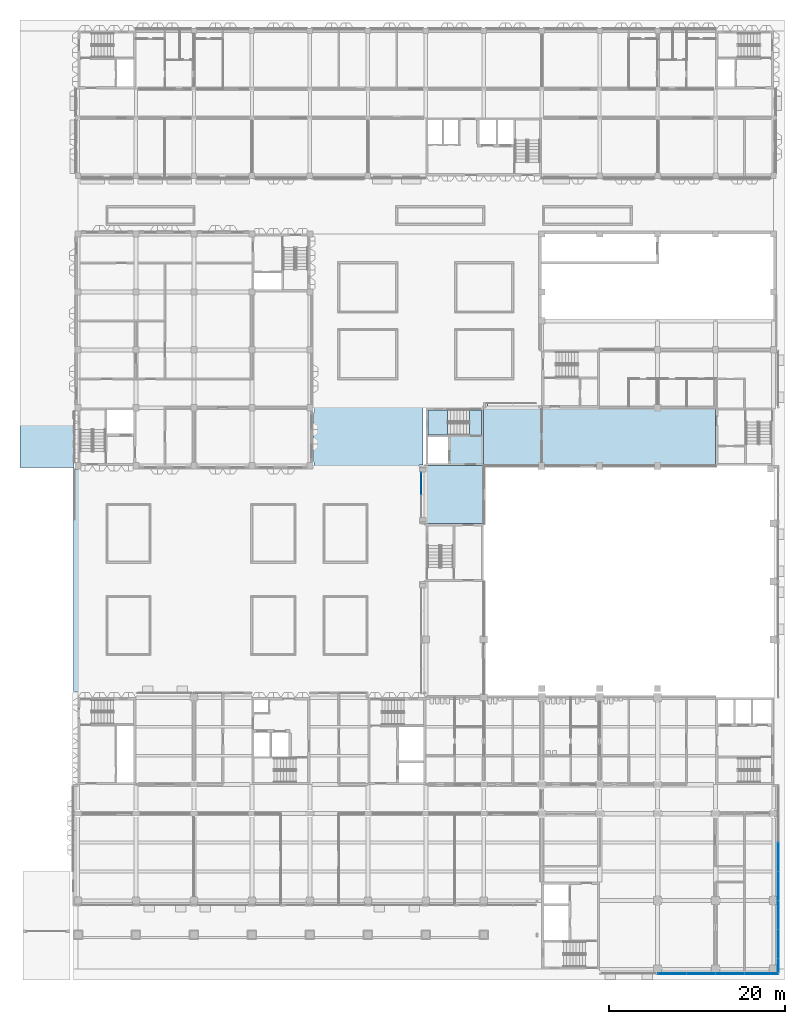
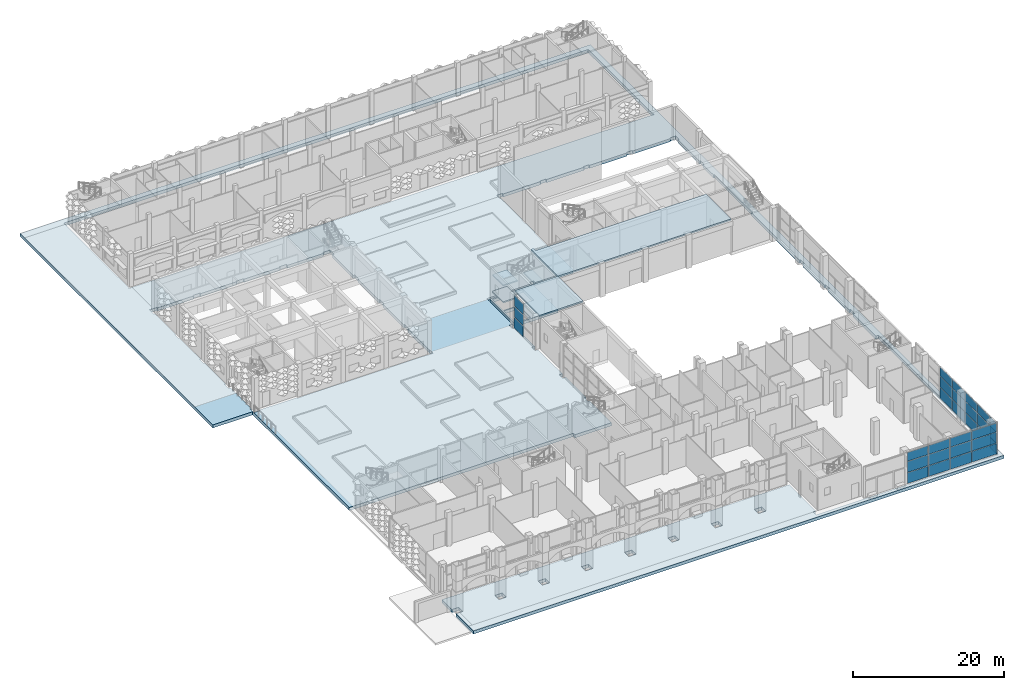
# One storey, part 21 of 85: 30 plates, 7 slabs, 4 elements without a shape of their own.
"""IFC4 building model written with IfcOpenShell, lengths in metres."""

from ifc_helpers import new_model, si_unit, direction, frame, origin, origin_2d, place, context, subcontext, project, spatial, polyline, rectangle, outline, extrude, material, layer, layer_set, type_object, element, aggregate, save


model = new_model("IFC4")

# Units and contexts
model_context = context("Model", 3, precision=1e-05, world=origin(), true_north=direction((0.0, 1.0)))
body_context = subcontext(model_context, "Body", "Model", "MODEL_VIEW")
ifc_project = project(units=[si_unit("LENGTHUNIT", "METRE"), si_unit("AREAUNIT", "SQUARE_METRE"), si_unit("VOLUMEUNIT", "CUBIC_METRE"), si_unit("PLANEANGLEUNIT", "RADIAN"), si_unit("MASSUNIT", "GRAM", prefix="KILO")], contexts=[model_context])

# Site, building, storey
site_placement = place(None, origin())
site = spatial("IfcSite", under=ifc_project, at=site_placement, CompositionType="ELEMENT")
building_placement = place(site_placement, origin())
building = spatial("IfcBuilding", under=site, at=building_placement, Name="Lantern Court Research Institute", CompositionType="ELEMENT")
storey_placement = place(building_placement, origin())
storey = spatial("IfcBuildingStorey", under=building, at=storey_placement, Name="L00", CompositionType="ELEMENT", Elevation=0.0)

# Curtain wall, plate
ifc_material_1 = material(Name="Aluminium alloy 6063-T6", Category="aluminium")
curtain_wall_type_1 = type_object("IfcCurtainWallType", Name="Curtain wall 5200 x 5400 x 150 aluminium frame", PredefinedType="NOTDEFINED", material=ifc_material_1)
curtain_wall_1_placement = place(storey_placement, origin())
curtain_wall_1 = element("IfcCurtainWall", 1, at=curtain_wall_1_placement, inside=storey, type_object=curtain_wall_type_1, Name="Curtain wall CW005", PredefinedType="NOTDEFINED")
ifc_material_2 = material(Name="Fire-resisting insulated aluminium spandrel panel", Category="aluminium")
ifc_layer_1 = layer(ifc_material_2, 0.1201171875)
ifc_layer_set_1 = layer_set([ifc_layer_1], Name="Fire-resisting insulated aluminium spandrel panel")
plate_type_1 = type_object("IfcPlateType", Name="Fire-resisting spandrel panel 120 mm", PredefinedType="CURTAIN_PANEL", material=ifc_layer_set_1)
plate_1_placement = place(storey_placement, frame((39.074951171875, 47.47509765625, 0.10009765625), z_axis=(0.0, 0.0, 1.0), x_axis=(0.0, 1.0, 0.0)))
plate_1 = element("IfcPlate", 2, at=plate_1_placement, type_object=plate_type_1, Name="CW005 spandrel panel 2.1", PredefinedType="CURTAIN_PANEL", context=body_context, shape_type="SweptSolid", body=[
    extrude(rectangle(XDim=2.449951171875, YDim=0.1201171875, at=origin_2d()), origin(), (0.0, 0.0, 1.0), 1.64990234375),
])

# Slabs
ifc_material_3 = material(Name="Concrete C35/45", Category="concrete")
ifc_layer_2 = layer(ifc_material_3, 0.25)
ifc_layer_set_2 = layer_set([ifc_layer_2], Name="Concrete C35/45")
slab_type_1 = type_object("IfcSlabType", Name="Hall gallery slab 250", PredefinedType="FLOOR", material=ifc_layer_set_2)
slab_1_placement = place(storey_placement, frame((0.0, 0.0, 5.14990234375)))
element("IfcSlab", 3, at=slab_1_placement, inside=storey, type_object=slab_type_1, Name="Atrium gallery floor slab L01", PredefinedType="FLOOR", context=body_context, shape_type="SweptSolid", body=[
    extrude(outline(polyline([(39.60009765625, 49.5), (46.199951171875, 49.5), (46.199951171875, 42.89990234375), (39.60009765625, 42.89990234375), (39.60009765625, 49.5)])), origin(), (0.0, 0.0, 1.0), 0.25),
])
slab_2_placement = place(storey_placement, frame((0.0, 0.0, 5.14990234375)))
element("IfcSlab", 4, at=slab_2_placement, inside=storey, type_object=slab_type_1, Name="Atrium gallery floor slab L01", PredefinedType="FLOOR", context=body_context, shape_type="SweptSolid", body=[
    extrude(outline(polyline([(72.60009765625, 56.10009765625), (72.60009765625, 49.5), (46.199951171875, 49.5), (46.199951171875, 56.699951171875), (46.60009765625, 56.699951171875), (46.60009765625, 56.10009765625), (72.60009765625, 56.10009765625)])), origin(), (0.0, 0.0, 1.0), 0.25),
])

# Curtain wall, plates
ifc_material_4 = material(Name="Aluminium alloy 6063-T6", Category="aluminium")
curtain_wall_type_2 = type_object("IfcCurtainWallType", Name="Curtain wall 13800 x 5100 x 150 aluminium frame", PredefinedType="NOTDEFINED", material=ifc_material_4)
curtain_wall_2_placement = place(storey_placement, origin())
curtain_wall_2 = element("IfcCurtainWall", 5, at=curtain_wall_2_placement, inside=storey, type_object=curtain_wall_type_2, Name="Curtain wall CW015", PredefinedType="NOTDEFINED")
ifc_material_5 = material(Name="Insulated aluminium spandrel panel", Category="aluminium")
ifc_layer_3 = layer(ifc_material_5, 0.10009765625)
ifc_layer_set_3 = layer_set([ifc_layer_3], Name="Insulated aluminium spandrel panel")
plate_type_2 = type_object("IfcPlateType", Name="Insulated spandrel panel 100 mm for south sun", PredefinedType="CURTAIN_PANEL", material=ifc_layer_set_3)
plate_2_placement = place(storey_placement, frame((67.6650390625, -8.324951171875, 0.06005859375), z_axis=(0.0, 0.0, 1.0), x_axis=(-1.0, 0.0, 0.0)))
plate_2 = element("IfcPlate", 6, at=plate_2_placement, type_object=plate_type_2, Name="CW015 spandrel panel 1.1", PredefinedType="CURTAIN_PANEL", context=body_context, shape_type="SweptSolid", body=[
    extrude(rectangle(XDim=3.2099609375, YDim=0.10009765625, at=origin_2d()), origin(), (0.0, 0.0, 1.0), 1.7099609375),
])
plate_3_placement = place(storey_placement, frame((70.949951171875, -8.324951171875, 0.06005859375), z_axis=(0.0, 0.0, 1.0), x_axis=(-1.0, 0.0, 0.0)))
plate_3 = element("IfcPlate", 7, at=plate_3_placement, type_object=plate_type_2, Name="CW015 spandrel panel 2.1", PredefinedType="CURTAIN_PANEL", context=body_context, shape_type="SweptSolid", body=[
    extrude(rectangle(XDim=3.239990234375, YDim=0.10009765625, at=origin_2d()), origin(), (0.0, 0.0, 1.0), 1.7099609375),
])
plate_4_placement = place(storey_placement, frame((74.25, -8.324951171875, 0.06005859375), z_axis=(0.0, 0.0, 1.0), x_axis=(-1.0, 0.0, 0.0)))
plate_4 = element("IfcPlate", 8, at=plate_4_placement, type_object=plate_type_2, Name="CW015 spandrel panel 3.1", PredefinedType="CURTAIN_PANEL", context=body_context, shape_type="SweptSolid", body=[
    extrude(rectangle(XDim=3.239990234375, YDim=0.10009765625, at=origin_2d()), origin(), (0.0, 0.0, 1.0), 1.7099609375),
])
plate_5_placement = place(storey_placement, frame((77.8349609375, -8.324951171875, 0.06005859375), z_axis=(0.0, 0.0, 1.0), x_axis=(-1.0, 0.0, 0.0)))
plate_5 = element("IfcPlate", 9, at=plate_5_placement, type_object=plate_type_2, Name="CW015 spandrel panel 4.1", PredefinedType="CURTAIN_PANEL", context=body_context, shape_type="SweptSolid", body=[
    extrude(rectangle(XDim=3.81005859375, YDim=0.10009765625, at=origin_2d()), origin(), (0.0, 0.0, 1.0), 1.7099609375),
])

ifc_material_6 = material(Name="Aluminium alloy 6063-T6", Category="aluminium")
curtain_wall_type_3 = type_object("IfcCurtainWallType", Name="Curtain wall 21250 x 5100 x 150 aluminium frame", PredefinedType="NOTDEFINED", material=ifc_material_6)
curtain_wall_3_placement = place(storey_placement, origin())
curtain_wall_3 = element("IfcCurtainWall", 10, at=curtain_wall_3_placement, inside=storey, type_object=curtain_wall_type_3, Name="Curtain wall CW014", PredefinedType="NOTDEFINED")
ifc_material_7 = material(Name="Insulated aluminium spandrel panel", Category="aluminium")
ifc_layer_4 = layer(ifc_material_7, 0.080078125)
ifc_layer_set_4 = layer_set([ifc_layer_4], Name="Insulated aluminium spandrel panel")
plate_type_3 = type_object("IfcPlateType", Name="Insulated spandrel panel 80 mm", PredefinedType="CURTAIN_PANEL", material=ifc_layer_set_4)
plate_6_placement = place(storey_placement, frame((79.72509765625, -7.409912109375, 0.06005859375), z_axis=(0.0, 0.0, 1.0), x_axis=(0.0, -1.0, 0.0)))
plate_6 = element("IfcPlate", 11, at=plate_6_placement, type_object=plate_type_3, Name="CW014 spandrel panel 1.1", PredefinedType="CURTAIN_PANEL", context=body_context, shape_type="SweptSolid", body=[
    extrude(rectangle(XDim=1.56005859375, YDim=0.080078125, at=origin_2d()), origin(), (0.0, 0.0, 1.0), 1.7099609375),
])
plate_7_placement = place(storey_placement, frame((79.72509765625, -4.949951171875, 0.06005859375), z_axis=(0.0, 0.0, 1.0), x_axis=(0.0, -1.0, 0.0)))
plate_7 = element("IfcPlate", 12, at=plate_7_placement, type_object=plate_type_3, Name="CW014 spandrel panel 2.1", PredefinedType="CURTAIN_PANEL", context=body_context, shape_type="SweptSolid", body=[
    extrude(rectangle(XDim=3.239990234375, YDim=0.080078125, at=origin_2d()), origin(), (0.0, 0.0, 1.0), 1.7099609375),
])
plate_8_placement = place(storey_placement, frame((79.72509765625, -1.64990234375, 0.06005859375), z_axis=(0.0, 0.0, 1.0), x_axis=(0.0, -1.0, 0.0)))
plate_8 = element("IfcPlate", 13, at=plate_8_placement, type_object=plate_type_3, Name="CW014 spandrel panel 3.1", PredefinedType="CURTAIN_PANEL", context=body_context, shape_type="SweptSolid", body=[
    extrude(rectangle(XDim=3.239990234375, YDim=0.080078125, at=origin_2d()), origin(), (0.0, 0.0, 1.0), 1.7099609375),
])
plate_9_placement = place(storey_placement, frame((79.72509765625, 1.64990234375, 0.06005859375), z_axis=(0.0, 0.0, 1.0), x_axis=(0.0, -1.0, 0.0)))
plate_9 = element("IfcPlate", 14, at=plate_9_placement, type_object=plate_type_3, Name="CW014 spandrel panel 4.1", PredefinedType="CURTAIN_PANEL", context=body_context, shape_type="SweptSolid", body=[
    extrude(rectangle(XDim=3.239990234375, YDim=0.080078125, at=origin_2d()), origin(), (0.0, 0.0, 1.0), 1.7099609375),
])
plate_10_placement = place(storey_placement, frame((79.72509765625, 4.949951171875, 0.06005859375), z_axis=(0.0, 0.0, 1.0), x_axis=(0.0, -1.0, 0.0)))
plate_10 = element("IfcPlate", 15, at=plate_10_placement, type_object=plate_type_3, Name="CW014 spandrel panel 5.1", PredefinedType="CURTAIN_PANEL", context=body_context, shape_type="SweptSolid", body=[
    extrude(rectangle(XDim=3.239990234375, YDim=0.080078125, at=origin_2d()), origin(), (0.0, 0.0, 1.0), 1.7099609375),
])

# Plate
ifc_material_8 = material(Name="Laminated low-emissivity glass", Category="glass")
ifc_layer_5 = layer(ifc_material_8, 0.028076171875)
ifc_layer_set_5 = layer_set([ifc_layer_5], Name="Laminated low-emissivity glass")
plate_type_4 = type_object("IfcPlateType", Name="Laminated low-emissivity unit 28 mm", PredefinedType="CURTAIN_PANEL", material=ifc_layer_set_5)
plate_11_placement = place(storey_placement, frame((39.074951171875, 47.47509765625, 1.85009765625), z_axis=(0.0, 0.0, 1.0), x_axis=(0.0, 1.0, 0.0)))
plate_11 = element("IfcPlate", 16, at=plate_11_placement, type_object=plate_type_4, Name="CW005 glazed panel 2.2", PredefinedType="CURTAIN_PANEL", context=body_context, shape_type="SweptSolid", body=[
    extrude(rectangle(XDim=2.449951171875, YDim=0.028076171875, at=origin_2d()), origin(), (0.0, 0.0, 1.0), 1.699951171875),
])

plate_12_placement = place(storey_placement, frame((39.074951171875, 47.47509765625, 3.650146484375), z_axis=(0.0, 0.0, 1.0), x_axis=(0.0, 1.0, 0.0)))
plate_12 = element("IfcPlate", 17, at=plate_12_placement, type_object=plate_type_4, Name="CW005 glazed panel 2.3", PredefinedType="CURTAIN_PANEL", context=body_context, shape_type="SweptSolid", body=[
    extrude(rectangle(XDim=2.449951171875, YDim=0.028076171875, at=origin_2d()), origin(), (0.0, 0.0, 1.0), 1.64990234375),
])

aggregate(curtain_wall_1, [plate_1, plate_11, plate_12])

# Slabs
ifc_material_9 = material(Name="Concrete C35/45", Category="concrete")
ifc_layer_6 = layer(ifc_material_9, 0.5)
ifc_layer_set_6 = layer_set([ifc_layer_6], Name="Concrete C35/45")
slab_type_2 = type_object("IfcSlabType", Name="Podium flat plate 500", PredefinedType="FLOOR", material=ifc_layer_set_6)
slab_3_placement = place(storey_placement, frame((0.0, 0.0, -0.5)))
element("IfcSlab", 18, at=slab_3_placement, inside=storey, type_object=slab_type_2, Name="Podium slab PS1", PredefinedType="FLOOR", context=body_context, shape_type="SweptSolid", body=[
    extrude(outline(polyline([(80.429931640625, 100.22998046875), (80.429931640625, -9.030029296875), (-0.5, -9.030029296875), (-0.5, -4.449951171875), (0.550048828125, -4.449951171875), (0.550048828125, -3.35009765625), (-0.5, -3.35009765625), (-0.5, -0.699951171875), (52.5, -0.699951171875), (52.5, -7.699951171875), (52.10009765625, -7.699951171875), (52.10009765625, -8.5), (79.89990234375, -8.5), (79.89990234375, 23.199951171875), (79.5, 23.199951171875), (79.5, 29.199951171875), (79.699951171875, 29.199951171875), (79.699951171875, 30.199951171875), (79.5, 30.199951171875), (79.5, 35.800048828125), (79.699951171875, 35.800048828125), (79.699951171875, 36.800048828125), (79.5, 36.800048828125), (79.5, 42.39990234375), (79.699951171875, 42.39990234375), (79.699951171875, 43.39990234375), (79.5, 43.39990234375), (79.5, 56.0), (79.64990234375, 56.0), (79.64990234375, 62.25), (79.64990234375, 63.14990234375), (79.64990234375, 66.10009765625), (79.5, 66.10009765625), (79.5, 68.85009765625), (79.64990234375, 68.85009765625), (79.64990234375, 69.75), (79.5, 69.75), (79.5, 75.449951171875), (79.64990234375, 75.449951171875), (79.64990234375, 76.35009765625), (78.75, 76.35009765625), (78.75, 76.199951171875), (73.050048828125, 76.199951171875), (73.050048828125, 76.35009765625), (72.14990234375, 76.35009765625), (72.14990234375, 76.199951171875), (66.449951171875, 76.199951171875), (66.449951171875, 76.35009765625), (65.550048828125, 76.35009765625), (65.550048828125, 76.199951171875), (59.85009765625, 76.199951171875), (59.85009765625, 76.35009765625), (58.949951171875, 76.35009765625), (58.949951171875, 76.199951171875), (53.25, 76.199951171875), (53.25, 76.35009765625), (52.35009765625, 76.35009765625), (52.35009765625, 75.449951171875), (52.5, 75.449951171875), (52.5, 69.75), (52.35009765625, 69.75), (52.35009765625, 68.85009765625), (52.5, 68.85009765625), (52.5, 66.449951171875), (52.35009765625, 66.449951171875), (52.35009765625, 65.550048828125), (52.35009765625, 65.550048828125), (52.35009765625, 62.60009765625), (52.5, 62.60009765625), (52.5, 56.39990234375), (46.699951171875, 56.39990234375), (46.699951171875, 56.800048828125), (46.10009765625, 56.800048828125), (46.10009765625, 56.39990234375), (39.300048828125, 56.39990234375), (39.300048828125, 49.60009765625), (38.800048828125, 49.60009765625), (38.800048828125, 48.699951171875), (39.300048828125, 48.699951171875), (39.300048828125, 43.699951171875), (38.800048828125, 43.699951171875), (38.800048828125, 42.800048828125), (39.300048828125, 42.800048828125), (39.300048828125, 36.39990234375), (38.800048828125, 36.39990234375), (38.800048828125, 35.5), (39.300048828125, 35.5), (39.300048828125, 30.199951171875), (39.10009765625, 30.199951171875), (39.10009765625, 29.199951171875), (39.300048828125, 29.199951171875), (39.300048828125, 23.39990234375), (33.699951171875, 23.39990234375), (33.699951171875, 23.800048828125), (-0.5, 23.800048828125), (-0.5, 49.300048828125), (-6.580078125, 49.300048828125), (-6.580078125, 100.22998046875), (80.429931640625, 100.22998046875)]), holes=[polyline([(12.64990234375, -3.35009765625), (12.64990234375, -4.449951171875), (13.75, -4.449951171875), (13.75, -3.35009765625), (12.64990234375, -3.35009765625)]), polyline([(6.050048828125, -3.35009765625), (6.050048828125, -4.449951171875), (7.14990234375, -4.449951171875), (7.14990234375, -3.35009765625), (6.050048828125, -3.35009765625)]), polyline([(-0.449951171875, 49.949951171875), (-0.449951171875, 49.050048828125), (0.449951171875, 49.050048828125), (0.449951171875, 49.199951171875), (6.14990234375, 49.199951171875), (6.14990234375, 49.050048828125), (7.050048828125, 49.050048828125), (7.050048828125, 49.10009765625), (12.75, 49.10009765625), (12.75, 49.050048828125), (13.64990234375, 49.050048828125), (13.64990234375, 49.10009765625), (19.35009765625, 49.10009765625), (19.35009765625, 49.050048828125), (20.25, 49.050048828125), (20.25, 49.10009765625), (25.949951171875, 49.10009765625), (25.949951171875, 49.050048828125), (26.85009765625, 49.050048828125), (26.85009765625, 49.949951171875), (26.800048828125, 49.949951171875), (26.800048828125, 55.550048828125), (26.949951171875, 55.550048828125), (26.949951171875, 56.64990234375), (26.800048828125, 56.64990234375), (26.800048828125, 62.14990234375), (26.949951171875, 62.14990234375), (26.949951171875, 63.25), (26.800048828125, 63.25), (26.800048828125, 68.75), (26.949951171875, 68.75), (26.949951171875, 69.85009765625), (26.699951171875, 69.85009765625), (26.699951171875, 75.35009765625), (26.949951171875, 75.35009765625), (26.949951171875, 76.449951171875), (25.85009765625, 76.449951171875), (25.85009765625, 76.199951171875), (20.35009765625, 76.199951171875), (20.35009765625, 76.449951171875), (19.25, 76.449951171875), (19.25, 76.300048828125), (13.75, 76.300048828125), (13.75, 76.449951171875), (12.64990234375, 76.449951171875), (12.64990234375, 76.300048828125), (7.14990234375, 76.300048828125), (7.14990234375, 76.449951171875), (6.050048828125, 76.449951171875), (6.050048828125, 76.300048828125), (0.550048828125, 76.300048828125), (0.550048828125, 76.449951171875), (-0.550048828125, 76.449951171875), (-0.550048828125, 75.35009765625), (-0.39990234375, 75.35009765625), (-0.39990234375, 69.85009765625), (-0.550048828125, 69.85009765625), (-0.550048828125, 68.75), (-0.39990234375, 68.75), (-0.39990234375, 63.25), (-0.550048828125, 63.25), (-0.550048828125, 62.14990234375), (-0.39990234375, 62.14990234375), (-0.39990234375, 56.64990234375), (-0.550048828125, 56.64990234375), (-0.550048828125, 55.550048828125), (-0.300048828125, 55.550048828125), (-0.300048828125, 49.949951171875), (-0.449951171875, 49.949951171875)]), polyline([(13.60009765625, 82.10009765625), (13.680908203125, 82.10009765625), (19.319091796875, 82.10009765625), (19.39990234375, 82.10009765625), (20.199951171875, 82.10009765625), (20.281005859375, 82.10009765625), (25.9189453125, 82.10009765625), (26.0, 82.10009765625), (26.800048828125, 82.10009765625), (26.881103515625, 82.10009765625), (32.51904296875, 82.10009765625), (32.60009765625, 82.10009765625), (33.39990234375, 82.10009765625), (33.48095703125, 82.10009765625), (58.9189453125, 82.10009765625), (59.0, 82.10009765625), (59.800048828125, 82.10009765625), (59.881103515625, 82.10009765625), (65.51904296875, 82.10009765625), (65.60009765625, 82.10009765625), (66.39990234375, 82.10009765625), (66.48095703125, 82.10009765625), (72.118896484375, 82.10009765625), (72.199951171875, 82.10009765625), (73.0, 82.10009765625), (73.0810546875, 82.10009765625), (78.800048828125, 82.10009765625), (79.43994140625, 82.10009765625), (79.448974609375, 82.011962890625), (79.60009765625, 82.01904296875), (79.60009765625, 82.10009765625), (79.680908203125, 82.10009765625), (79.68798828125, 82.2509765625), (79.60009765625, 82.260009765625), (79.60009765625, 82.89990234375), (79.60009765625, 88.618896484375), (79.60009765625, 88.699951171875), (79.60009765625, 89.5), (79.60009765625, 89.5810546875), (79.60009765625, 99.39990234375), (66.48095703125, 99.39990234375), (66.39990234375, 99.39990234375), (65.60009765625, 99.39990234375), (65.51904296875, 99.39990234375), (59.881103515625, 99.39990234375), (59.800048828125, 99.39990234375), (59.0, 99.39990234375), (58.9189453125, 99.39990234375), (53.281005859375, 99.39990234375), (53.199951171875, 99.39990234375), (52.39990234375, 99.39990234375), (52.319091796875, 99.39990234375), (46.680908203125, 99.39990234375), (46.60009765625, 99.39990234375), (45.800048828125, 99.39990234375), (45.718994140625, 99.39990234375), (40.0810546875, 99.39990234375), (40.0, 99.39990234375), (39.199951171875, 99.39990234375), (39.118896484375, 99.39990234375), (33.48095703125, 99.39990234375), (33.39990234375, 99.39990234375), (32.60009765625, 99.39990234375), (32.51904296875, 99.39990234375), (26.881103515625, 99.39990234375), (26.800048828125, 99.39990234375), (26.0, 99.39990234375), (25.9189453125, 99.39990234375), (20.281005859375, 99.39990234375), (20.199951171875, 99.39990234375), (19.39990234375, 99.39990234375), (19.319091796875, 99.39990234375), (13.680908203125, 99.39990234375), (13.60009765625, 99.39990234375), (12.800048828125, 99.39990234375), (12.718994140625, 99.39990234375), (-0.39990234375, 99.39990234375), (-0.39990234375, 89.5810546875), (-0.39990234375, 89.5), (-0.39990234375, 88.699951171875), (-0.39990234375, 88.618896484375), (-0.39990234375, 82.89990234375), (-0.39990234375, 82.260009765625), (-0.488037109375, 82.2509765625), (-0.48095703125, 82.10009765625), (-0.39990234375, 82.10009765625), (-0.39990234375, 82.01904296875), (-0.2490234375, 82.011962890625), (-0.239990234375, 82.10009765625), (0.39990234375, 82.10009765625), (6.118896484375, 82.10009765625), (6.199951171875, 82.10009765625), (7.0, 82.10009765625), (7.0810546875, 82.10009765625), (12.718994140625, 82.10009765625), (12.800048828125, 82.10009765625), (13.60009765625, 82.10009765625)]), polyline([(19.25, -3.35009765625), (19.25, -4.449951171875), (20.35009765625, -4.449951171875), (20.35009765625, -3.35009765625), (19.25, -3.35009765625)]), polyline([(32.449951171875, -3.35009765625), (32.449951171875, -4.449951171875), (33.550048828125, -4.449951171875), (33.550048828125, -3.35009765625), (32.449951171875, -3.35009765625)]), polyline([(25.85009765625, -3.35009765625), (25.85009765625, -4.449951171875), (26.949951171875, -4.449951171875), (26.949951171875, -3.35009765625), (25.85009765625, -3.35009765625)]), polyline([(39.050048828125, -3.35009765625), (39.050048828125, -4.449951171875), (40.14990234375, -4.449951171875), (40.14990234375, -3.35009765625), (39.050048828125, -3.35009765625)]), polyline([(45.64990234375, -3.35009765625), (45.64990234375, -4.449951171875), (46.75, -4.449951171875), (46.75, -3.35009765625), (45.64990234375, -3.35009765625)])]), origin(), (0.0, 0.0, 1.0), 0.5),
])
ifc_material_10 = material(Name="Concrete C35/45", Category="concrete")
ifc_layer_7 = layer(ifc_material_10, 0.5)
ifc_layer_set_7 = layer_set([ifc_layer_7], Name="Concrete C35/45")
slab_type_3 = type_object("IfcSlabType", Name="RC core floor slab 500", PredefinedType="FLOOR", material=ifc_layer_set_7)
slab_4_placement = place(storey_placement, frame((0.0, 0.0, -0.5)))
element("IfcSlab", 19, at=slab_4_placement, inside=storey, type_object=slab_type_3, Name="Floor of core HC-A", PredefinedType="FLOOR", context=body_context, shape_type="SweptSolid", body=[
    extrude(outline(polyline([(39.60009765625, 49.5), (46.199951171875, 49.5), (46.199951171875, 56.10009765625), (39.60009765625, 56.10009765625), (39.60009765625, 49.5)]), holes=[polyline([(44.550048828125, 55.85009765625), (39.85009765625, 55.85009765625), (39.85009765625, 53.0), (44.550048828125, 53.0), (44.550048828125, 55.85009765625)]), polyline([(39.85009765625, 49.75), (42.14990234375, 49.75), (42.14990234375, 52.800048828125), (39.85009765625, 52.800048828125), (39.85009765625, 49.75)])]), origin(), (0.0, 0.0, 1.0), 0.5),
])

# Stair, slabs
ifc_material_11 = material(Name="Concrete C40/50", Category="concrete")
stair_type = type_object("IfcStairType", Name="RC half-turn stair 1350 wide, 5400 rise, 6100 shaft", PredefinedType="HALF_TURN_STAIR", material=ifc_material_11)
stair_placement = place(storey_placement, origin())
stair = element("IfcStair", 20, at=stair_placement, inside=storey, type_object=stair_type, Name="L00 stair ST-H1", PredefinedType="HALF_TURN_STAIR")
ifc_material_12 = material(Name="Concrete C40/50", Category="concrete")
ifc_layer_8 = layer(ifc_material_12, 0.199951171875)
ifc_layer_set_8 = layer_set([ifc_layer_8], Name="Concrete C40/50")
slab_type_4 = type_object("IfcSlabType", Name="RC stair landing 200", PredefinedType="LANDING", material=ifc_layer_set_8)
slab_5_placement = place(storey_placement, frame((0.0, 0.0, 1.14990234375)))
slab_5 = element("IfcSlab", 21, at=slab_5_placement, type_object=slab_type_4, Name="ST-H1 landing 1", PredefinedType="LANDING", context=body_context, shape_type="SweptSolid", body=[
    extrude(outline(polyline([(42.080078125, 55.85009765625), (39.85009765625, 55.85009765625), (39.85009765625, 53.0), (42.080078125, 53.0), (42.080078125, 55.85009765625)])), origin(), (0.0, 0.0, 1.0), 0.2001953125),
])
slab_6_placement = place(storey_placement, frame((0.0, 0.0, 2.5)))
slab_6 = element("IfcSlab", 22, at=slab_6_placement, type_object=slab_type_4, Name="ST-H1 landing 2", PredefinedType="LANDING", context=body_context, shape_type="SweptSolid", body=[
    extrude(outline(polyline([(45.949951171875, 55.85009765625), (44.60009765625, 55.85009765625), (44.60009765625, 53.0), (45.949951171875, 53.0), (45.949951171875, 55.85009765625)])), origin(), (0.0, 0.0, 1.0), 0.199951171875),
])
slab_7_placement = place(storey_placement, frame((0.0, 0.0, 3.85009765625)))
slab_7 = element("IfcSlab", 23, at=slab_7_placement, type_object=slab_type_4, Name="ST-H1 landing 3", PredefinedType="LANDING", context=body_context, shape_type="SweptSolid", body=[
    extrude(outline(polyline([(42.080078125, 55.85009765625), (39.85009765625, 55.85009765625), (39.85009765625, 53.0), (42.080078125, 53.0), (42.080078125, 55.85009765625)])), origin(), (0.0, 0.0, 1.0), 0.199951171875),
])
aggregate(stair, [slab_5, slab_6, slab_7])

# Plate
ifc_material_13 = material(Name="Laminated low-emissivity glass", Category="glass")
ifc_layer_9 = layer(ifc_material_13, 0.035888671875)
ifc_layer_set_9 = layer_set([ifc_layer_9], Name="Laminated low-emissivity glass")
plate_type_5 = type_object("IfcPlateType", Name="Solar control laminated unit 36 mm", PredefinedType="CURTAIN_PANEL", material=ifc_layer_set_9)
plate_13_placement = place(storey_placement, frame((79.72509765625, -7.409912109375, 1.830078125), z_axis=(0.0, 0.0, 1.0), x_axis=(0.0, -1.0, 0.0)))
plate_13 = element("IfcPlate", 24, at=plate_13_placement, type_object=plate_type_5, Name="CW014 glazed panel 1.2", PredefinedType="CURTAIN_PANEL", context=body_context, shape_type="SweptSolid", body=[
    extrude(rectangle(XDim=1.56005859375, YDim=0.035888671875, at=origin_2d()), origin(), (0.0, 0.0, 1.0), 1.739990234375),
])

plate_14_placement = place(storey_placement, frame((79.72509765625, -7.409912109375, 3.6298828125), z_axis=(0.0, 0.0, 1.0), x_axis=(0.0, -1.0, 0.0)))
plate_14 = element("IfcPlate", 25, at=plate_14_placement, type_object=plate_type_5, Name="CW014 glazed panel 1.3", PredefinedType="CURTAIN_PANEL", context=body_context, shape_type="SweptSolid", body=[
    extrude(rectangle(XDim=1.56005859375, YDim=0.035888671875, at=origin_2d()), origin(), (0.0, 0.0, 1.0), 1.409912109375),
])

plate_15_placement = place(storey_placement, frame((79.72509765625, -4.949951171875, 1.830078125), z_axis=(0.0, 0.0, 1.0), x_axis=(0.0, -1.0, 0.0)))
plate_15 = element("IfcPlate", 26, at=plate_15_placement, type_object=plate_type_5, Name="CW014 glazed panel 2.2", PredefinedType="CURTAIN_PANEL", context=body_context, shape_type="SweptSolid", body=[
    extrude(rectangle(XDim=3.239990234375, YDim=0.035888671875, at=origin_2d()), origin(), (0.0, 0.0, 1.0), 1.739990234375),
])

plate_16_placement = place(storey_placement, frame((79.72509765625, -4.949951171875, 3.6298828125), z_axis=(0.0, 0.0, 1.0), x_axis=(0.0, -1.0, 0.0)))
plate_16 = element("IfcPlate", 27, at=plate_16_placement, type_object=plate_type_5, Name="CW014 glazed panel 2.3", PredefinedType="CURTAIN_PANEL", context=body_context, shape_type="SweptSolid", body=[
    extrude(rectangle(XDim=3.239990234375, YDim=0.035888671875, at=origin_2d()), origin(), (0.0, 0.0, 1.0), 1.409912109375),
])

plate_17_placement = place(storey_placement, frame((79.72509765625, -1.64990234375, 1.830078125), z_axis=(0.0, 0.0, 1.0), x_axis=(0.0, -1.0, 0.0)))
plate_17 = element("IfcPlate", 28, at=plate_17_placement, type_object=plate_type_5, Name="CW014 glazed panel 3.2", PredefinedType="CURTAIN_PANEL", context=body_context, shape_type="SweptSolid", body=[
    extrude(rectangle(XDim=3.239990234375, YDim=0.035888671875, at=origin_2d()), origin(), (0.0, 0.0, 1.0), 1.739990234375),
])

plate_18_placement = place(storey_placement, frame((79.72509765625, -1.64990234375, 3.6298828125), z_axis=(0.0, 0.0, 1.0), x_axis=(0.0, -1.0, 0.0)))
plate_18 = element("IfcPlate", 29, at=plate_18_placement, type_object=plate_type_5, Name="CW014 glazed panel 3.3", PredefinedType="CURTAIN_PANEL", context=body_context, shape_type="SweptSolid", body=[
    extrude(rectangle(XDim=3.239990234375, YDim=0.035888671875, at=origin_2d()), origin(), (0.0, 0.0, 1.0), 1.409912109375),
])

plate_19_placement = place(storey_placement, frame((79.72509765625, 1.64990234375, 1.830078125), z_axis=(0.0, 0.0, 1.0), x_axis=(0.0, -1.0, 0.0)))
plate_19 = element("IfcPlate", 30, at=plate_19_placement, type_object=plate_type_5, Name="CW014 glazed panel 4.2", PredefinedType="CURTAIN_PANEL", context=body_context, shape_type="SweptSolid", body=[
    extrude(rectangle(XDim=3.239990234375, YDim=0.035888671875, at=origin_2d()), origin(), (0.0, 0.0, 1.0), 1.739990234375),
])

plate_20_placement = place(storey_placement, frame((79.72509765625, 1.64990234375, 3.6298828125), z_axis=(0.0, 0.0, 1.0), x_axis=(0.0, -1.0, 0.0)))
plate_20 = element("IfcPlate", 31, at=plate_20_placement, type_object=plate_type_5, Name="CW014 glazed panel 4.3", PredefinedType="CURTAIN_PANEL", context=body_context, shape_type="SweptSolid", body=[
    extrude(rectangle(XDim=3.239990234375, YDim=0.035888671875, at=origin_2d()), origin(), (0.0, 0.0, 1.0), 1.409912109375),
])

plate_21_placement = place(storey_placement, frame((79.72509765625, 4.949951171875, 1.830078125), z_axis=(0.0, 0.0, 1.0), x_axis=(0.0, -1.0, 0.0)))
plate_21 = element("IfcPlate", 32, at=plate_21_placement, type_object=plate_type_5, Name="CW014 glazed panel 5.2", PredefinedType="CURTAIN_PANEL", context=body_context, shape_type="SweptSolid", body=[
    extrude(rectangle(XDim=3.239990234375, YDim=0.035888671875, at=origin_2d()), origin(), (0.0, 0.0, 1.0), 1.739990234375),
])

plate_22_placement = place(storey_placement, frame((79.72509765625, 4.949951171875, 3.6298828125), z_axis=(0.0, 0.0, 1.0), x_axis=(0.0, -1.0, 0.0)))
plate_22 = element("IfcPlate", 33, at=plate_22_placement, type_object=plate_type_5, Name="CW014 glazed panel 5.3", PredefinedType="CURTAIN_PANEL", context=body_context, shape_type="SweptSolid", body=[
    extrude(rectangle(XDim=3.239990234375, YDim=0.035888671875, at=origin_2d()), origin(), (0.0, 0.0, 1.0), 1.409912109375),
])

aggregate(curtain_wall_3, [plate_6, plate_13, plate_14, plate_7, plate_15, plate_16, plate_8, plate_17, plate_18, plate_9, plate_19, plate_20, plate_10, plate_21, plate_22])

plate_23_placement = place(storey_placement, frame((67.6650390625, -8.324951171875, 1.830078125), z_axis=(0.0, 0.0, 1.0), x_axis=(-1.0, 0.0, 0.0)))
plate_23 = element("IfcPlate", 34, at=plate_23_placement, type_object=plate_type_5, Name="CW015 glazed panel 1.2", PredefinedType="CURTAIN_PANEL", context=body_context, shape_type="SweptSolid", body=[
    extrude(rectangle(XDim=3.2099609375, YDim=0.035888671875, at=origin_2d()), origin(), (0.0, 0.0, 1.0), 1.739990234375),
])

plate_24_placement = place(storey_placement, frame((67.6650390625, -8.324951171875, 3.6298828125), z_axis=(0.0, 0.0, 1.0), x_axis=(-1.0, 0.0, 0.0)))
plate_24 = element("IfcPlate", 35, at=plate_24_placement, type_object=plate_type_5, Name="CW015 glazed panel 1.3", PredefinedType="CURTAIN_PANEL", context=body_context, shape_type="SweptSolid", body=[
    extrude(rectangle(XDim=3.2099609375, YDim=0.035888671875, at=origin_2d()), origin(), (0.0, 0.0, 1.0), 1.409912109375),
])

plate_25_placement = place(storey_placement, frame((70.949951171875, -8.324951171875, 1.830078125), z_axis=(0.0, 0.0, 1.0), x_axis=(-1.0, 0.0, 0.0)))
plate_25 = element("IfcPlate", 36, at=plate_25_placement, type_object=plate_type_5, Name="CW015 glazed panel 2.2", PredefinedType="CURTAIN_PANEL", context=body_context, shape_type="SweptSolid", body=[
    extrude(rectangle(XDim=3.239990234375, YDim=0.035888671875, at=origin_2d()), origin(), (0.0, 0.0, 1.0), 1.739990234375),
])

plate_26_placement = place(storey_placement, frame((70.949951171875, -8.324951171875, 3.6298828125), z_axis=(0.0, 0.0, 1.0), x_axis=(-1.0, 0.0, 0.0)))
plate_26 = element("IfcPlate", 37, at=plate_26_placement, type_object=plate_type_5, Name="CW015 glazed panel 2.3", PredefinedType="CURTAIN_PANEL", context=body_context, shape_type="SweptSolid", body=[
    extrude(rectangle(XDim=3.239990234375, YDim=0.035888671875, at=origin_2d()), origin(), (0.0, 0.0, 1.0), 1.409912109375),
])

plate_27_placement = place(storey_placement, frame((74.25, -8.324951171875, 1.830078125), z_axis=(0.0, 0.0, 1.0), x_axis=(-1.0, 0.0, 0.0)))
plate_27 = element("IfcPlate", 38, at=plate_27_placement, type_object=plate_type_5, Name="CW015 glazed panel 3.2", PredefinedType="CURTAIN_PANEL", context=body_context, shape_type="SweptSolid", body=[
    extrude(rectangle(XDim=3.239990234375, YDim=0.035888671875, at=origin_2d()), origin(), (0.0, 0.0, 1.0), 1.739990234375),
])

plate_28_placement = place(storey_placement, frame((74.25, -8.324951171875, 3.6298828125), z_axis=(0.0, 0.0, 1.0), x_axis=(-1.0, 0.0, 0.0)))
plate_28 = element("IfcPlate", 39, at=plate_28_placement, type_object=plate_type_5, Name="CW015 glazed panel 3.3", PredefinedType="CURTAIN_PANEL", context=body_context, shape_type="SweptSolid", body=[
    extrude(rectangle(XDim=3.239990234375, YDim=0.035888671875, at=origin_2d()), origin(), (0.0, 0.0, 1.0), 1.409912109375),
])

plate_29_placement = place(storey_placement, frame((77.8349609375, -8.324951171875, 1.830078125), z_axis=(0.0, 0.0, 1.0), x_axis=(-1.0, 0.0, 0.0)))
plate_29 = element("IfcPlate", 40, at=plate_29_placement, type_object=plate_type_5, Name="CW015 glazed panel 4.2", PredefinedType="CURTAIN_PANEL", context=body_context, shape_type="SweptSolid", body=[
    extrude(rectangle(XDim=3.81005859375, YDim=0.035888671875, at=origin_2d()), origin(), (0.0, 0.0, 1.0), 1.739990234375),
])

plate_30_placement = place(storey_placement, frame((77.8349609375, -8.324951171875, 3.6298828125), z_axis=(0.0, 0.0, 1.0), x_axis=(-1.0, 0.0, 0.0)))
plate_30 = element("IfcPlate", 41, at=plate_30_placement, type_object=plate_type_5, Name="CW015 glazed panel 4.3", PredefinedType="CURTAIN_PANEL", context=body_context, shape_type="SweptSolid", body=[
    extrude(rectangle(XDim=3.81005859375, YDim=0.035888671875, at=origin_2d()), origin(), (0.0, 0.0, 1.0), 1.409912109375),
])

aggregate(curtain_wall_2, [plate_2, plate_23, plate_24, plate_3, plate_25, plate_26, plate_4, plate_27, plate_28, plate_5, plate_29, plate_30])

save(model, "model.ifc")
